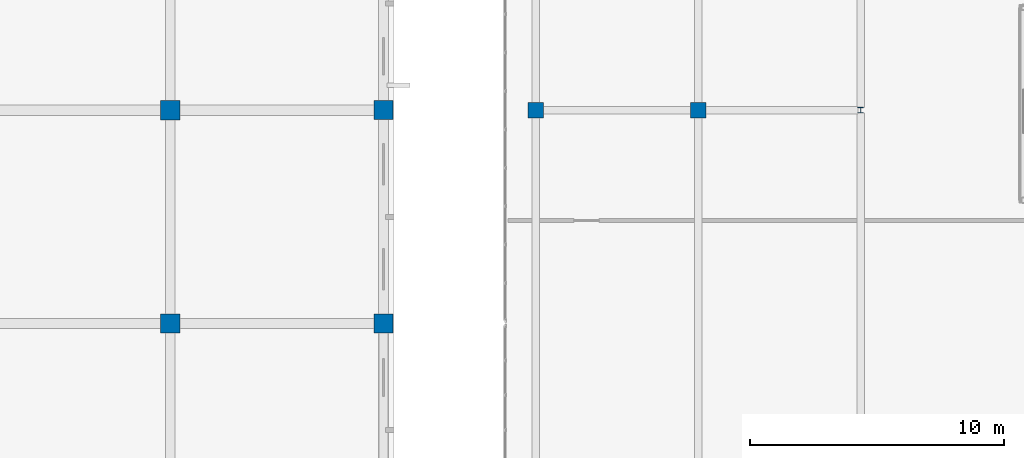
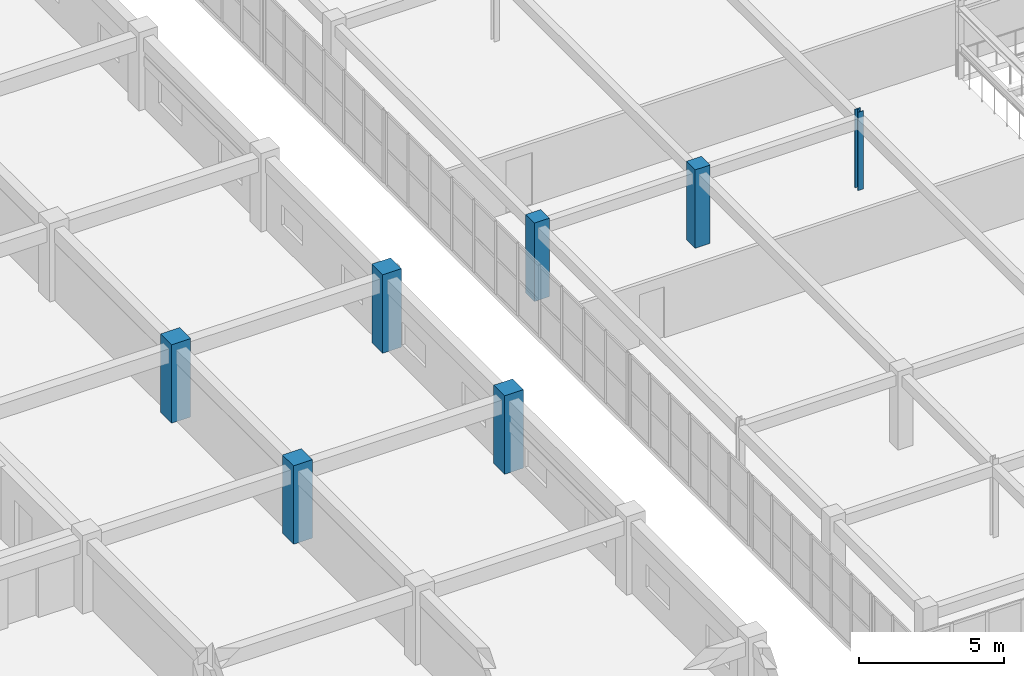
# One storey, part 5 of 200: 7 columns.
"""IFC4 building model written with IfcOpenShell, lengths in metres."""

from ifc_helpers import new_model, si_unit, direction, frame, origin, origin_2d, place, context, subcontext, project, spatial, rectangle, i_section, extrude, material, material_profile, profile_set, type_object, element, save


model = new_model("IFC4")

# Units and contexts
model_context = context("Model", 3, precision=1e-05, world=origin(), true_north=direction((0.0, 1.0)))
body_context = subcontext(model_context, "Body", "Model", "MODEL_VIEW")
ifc_project = project(units=[si_unit("LENGTHUNIT", "METRE"), si_unit("AREAUNIT", "SQUARE_METRE"), si_unit("VOLUMEUNIT", "CUBIC_METRE"), si_unit("PLANEANGLEUNIT", "RADIAN"), si_unit("MASSUNIT", "GRAM", prefix="KILO")], contexts=[model_context])

# Site, building, storey
site_placement = place(None, origin())
site = spatial("IfcSite", under=ifc_project, at=site_placement, CompositionType="ELEMENT")
building_placement = place(site_placement, origin())
building = spatial("IfcBuilding", under=site, at=building_placement, Name="Trelvath General Hospital", CompositionType="ELEMENT")
storey_placement = place(building_placement, frame((0.0, 0.0, 4.800048828125)))
storey = spatial("IfcBuildingStorey", under=building, at=storey_placement, Name="L01", CompositionType="ELEMENT", Elevation=4.800048828125)

# Columns
ifc_material_1 = material(Name="Concrete C40/50", Category="concrete")
ifc_material_profile_1 = material_profile(ifc_material_1, rectangle(XDim=0.60009765625, YDim=0.60009765625, at=origin_2d()), Name="RC600x600")
ifc_profile_set_1 = profile_set([ifc_material_profile_1], Name="Concrete C40/50")
column_type_1 = type_object("IfcColumnType", Name="Column RC600", PredefinedType="COLUMN", material=ifc_profile_set_1)
for number, where, z_axis, x_axis, name in (
    (1, (48.0, 58.800048828125, 0.0), (0.0, 0.0, 1.0), (1.0, 0.0, 0.0), "Cube Interior Column CC-W25 L01"),
    (2, (54.39990234375, 58.800048828125, 0.0), (0.0, 0.0, 1.0), (1.0, 0.0, 0.0), "Cube Interior Column CC-W32 L01"),
):
    element("IfcColumn", number, at=place(storey_placement, frame(where, z_axis=z_axis, x_axis=x_axis)), inside=storey, type_object=column_type_1, Name=name, PredefinedType="COLUMN", context=body_context, shape_type="SweptSolid", body=[
        extrude(rectangle(XDim=0.60009765625, YDim=0.60009765625, at=origin_2d()), origin(), (0.0, 0.0, 1.0), 3.300048828125),
    ])
ifc_material_2 = material(Name="Concrete C40/50", Category="concrete")
ifc_material_profile_2 = material_profile(ifc_material_2, rectangle(XDim=0.75, YDim=0.75, at=origin_2d()), Name="RC750x750")
ifc_profile_set_2 = profile_set([ifc_material_profile_2], Name="Concrete C40/50")
column_type_2 = type_object("IfcColumnType", Name="Column RC750", PredefinedType="COLUMN", material=ifc_profile_set_2)
for number, where, z_axis, x_axis, name in (
    (3, (42.0, 50.39990234375, 0.0), (0.0, 0.0, 1.0), (1.0, 0.0, 0.0), "Column C-6G L01"),
    (4, (42.0, 58.800048828125, 0.0), (0.0, 0.0, 1.0), (1.0, 0.0, 0.0), "Column C-6H L01"),
):
    element("IfcColumn", number, at=place(storey_placement, frame(where, z_axis=z_axis, x_axis=x_axis)), inside=storey, type_object=column_type_2, Name=name, PredefinedType="COLUMN", context=body_context, shape_type="SweptSolid", body=[
        extrude(rectangle(XDim=0.75, YDim=0.75, at=origin_2d()), origin(), (0.0, 0.0, 1.0), 3.300048828125),
    ])
ifc_material_3 = material(Name="Concrete C40/50", Category="concrete")
ifc_material_profile_3 = material_profile(ifc_material_3, rectangle(XDim=0.760009765625, YDim=0.760009765625, at=origin_2d()), Name="RC760x760")
ifc_profile_set_3 = profile_set([ifc_material_profile_3], Name="Concrete C40/50")
column_type_3 = type_object("IfcColumnType", Name="Column RC760", PredefinedType="COLUMN", material=ifc_profile_set_3)
for number, where, z_axis, x_axis, name in (
    (5, (33.60009765625, 50.39990234375, 0.0), (0.0, 0.0, 1.0), (1.0, 0.0, 0.0), "Column C-5G L01"),
    (6, (33.60009765625, 58.800048828125, 0.0), (0.0, 0.0, 1.0), (1.0, 0.0, 0.0), "Column C-5H L01"),
):
    element("IfcColumn", number, at=place(storey_placement, frame(where, z_axis=z_axis, x_axis=x_axis)), inside=storey, type_object=column_type_3, Name=name, PredefinedType="COLUMN", context=body_context, shape_type="SweptSolid", body=[
        extrude(rectangle(XDim=0.760009765625, YDim=0.760009765625, at=origin_2d()), origin(), (0.0, 0.0, 1.0), 3.300048828125),
    ])
ifc_material_4 = material(Name="Steel S355", Category="steel")
ifc_material_profile_4 = material_profile(ifc_material_4, i_section(OverallWidth=0.219970703125, OverallDepth=0.219970703125, WebThickness=0.009521484375, FlangeThickness=0.01611328125, at=origin_2d()), Name="HEB220")
ifc_profile_set_4 = profile_set([ifc_material_profile_4], Name="Steel S355")
column_type_4 = type_object("IfcColumnType", Name="CubePost HEB220", PredefinedType="COLUMN", material=ifc_profile_set_4)
column_placement = place(storey_placement, frame((60.800048828125, 58.800048828125, 0.0), z_axis=(0.0, 0.0, 1.0), x_axis=(1.0, 0.0, 0.0)))
element("IfcColumn", 7, at=column_placement, inside=storey, type_object=column_type_4, Name="Cube Interior Column CC-W39 L01", PredefinedType="COLUMN", context=body_context, shape_type="SweptSolid", body=[
    extrude(i_section(OverallWidth=0.219970703125, OverallDepth=0.219970703125, WebThickness=0.009521484375, FlangeThickness=0.01611328125, at=origin_2d()), origin(), (0.0, 0.0, 1.0), 3.300048828125),
])

save(model, "model.ifc")
